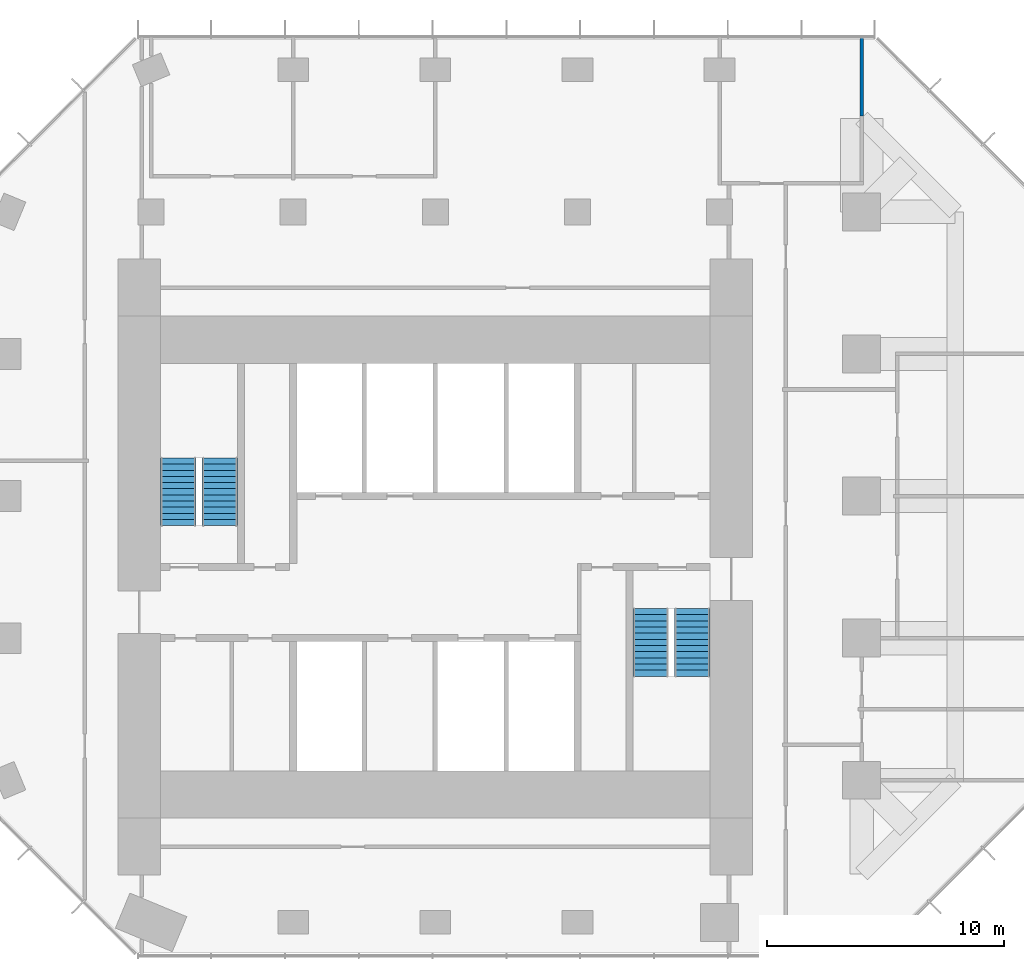
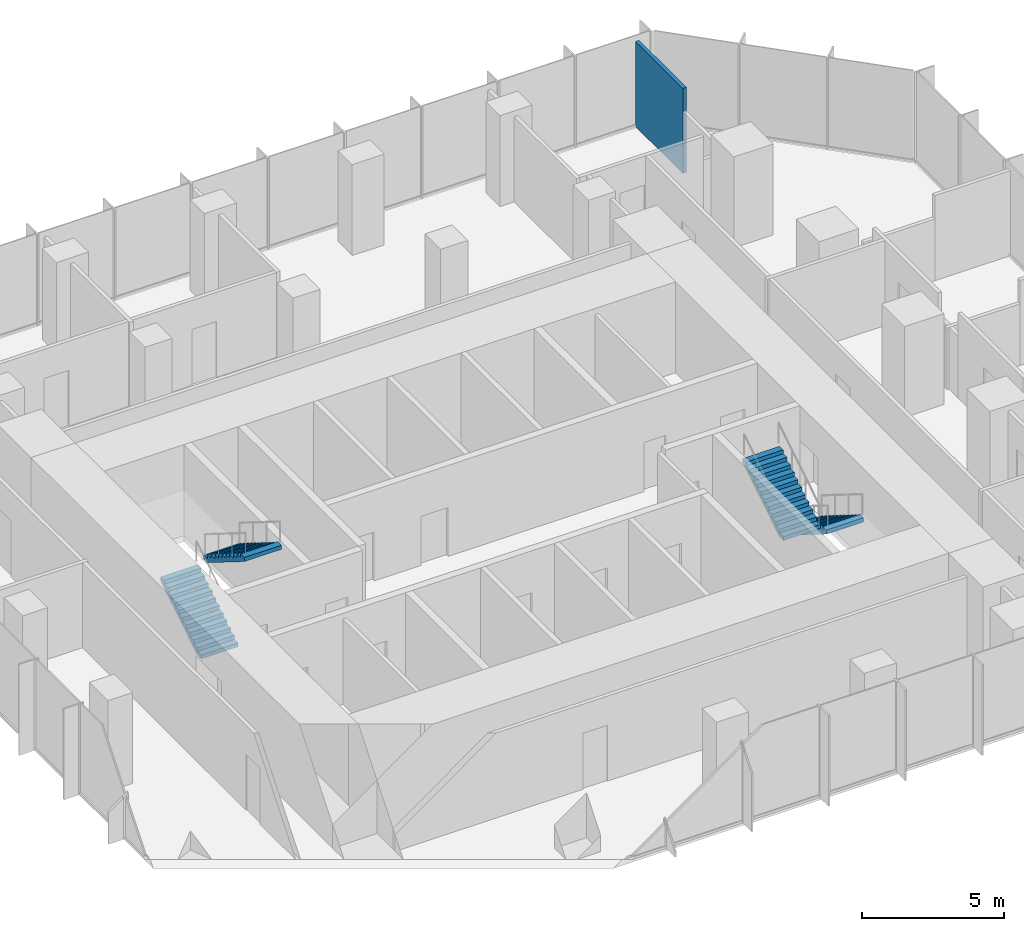
# One storey, part 10 of 11: 4 stair flights, 1 wall, 2 elements without a shape of their own.
"""IFC4 building model written with IfcOpenShell, lengths in metres."""

import ifcopenshell
import ifcopenshell.guid

model = None  # the IFC model being written
_history = None  # IfcOwnerHistory: only IFC2X3 demands one
_inside = {}  # id of a spatial element -> (the spatial element, [elements in it])
_under = {}  # id of a project, library or spatial element -> (it, [spatial elements below it])
_declared = {}  # id of a project -> (the project, [libraries it declares])
_typed = {}  # id of a type object -> (the type object, [elements of that type])
_made_of = {}  # id of a material, layer set ... -> (it, [elements and type objects made of it])


def new_model(schema):
    """Start an empty IFC model of exactly this schema.

    Asked for "IFC4X3", IfcOpenShell would pick the latest addendum, in which some entities
    have other attributes; the version numbers below select the first issue.
    IFC2X3 requires an IfcOwnerHistory on every rooted entity: one is made here for all.
    """
    global model, _history
    if schema == "IFC4X3":
        model = ifcopenshell.file(schema_version=(4, 3, 0, 0))
    else:
        model = ifcopenshell.file(schema=schema)
    _inside.clear()
    _under.clear()
    _declared.clear()
    _typed.clear()
    _made_of.clear()
    _history = None
    if model.schema == "IFC2X3":
        org = make("IfcOrganization", Name="unknown")
        user = make(
            "IfcPersonAndOrganization",
            ThePerson=make("IfcPerson", FamilyName="unknown"),
            TheOrganization=org,
        )
        app = make(
            "IfcApplication",
            ApplicationDeveloper=org,
            Version="unknown",
            ApplicationFullName="unknown",
            ApplicationIdentifier="unknown",
        )
        _history = make(
            "IfcOwnerHistory",
            OwningUser=user,
            OwningApplication=app,
            ChangeAction="ADDED",
            CreationDate=0,
        )
    return model


def make(cls, **values):
    """One entity of the class cls with the attributes given. An attribute that is None is left unset."""
    return model.create_entity(
        cls, **{name: value for name, value in values.items() if value is not None}
    )


def rooted(cls, **values):
    """An entity with a GlobalId (a new one), such as an element, a storey or a relation."""
    return make(cls, GlobalId=ifcopenshell.guid.new(), OwnerHistory=_history, **values)


def si_unit(unit_type, name, prefix=None):
    """IfcSIUnit, for example si_unit("LENGTHUNIT", "METRE", prefix="MILLI")."""
    return make("IfcSIUnit", UnitType=unit_type, Prefix=prefix, Name=name)


def assignment(units):
    """IfcUnitAssignment: the units of a project."""
    return None if units is None else make("IfcUnitAssignment", Units=units)


def point(xyz):
    """IfcCartesianPoint."""
    return None if xyz is None else make("IfcCartesianPoint", Coordinates=xyz)


def direction(xyz):
    """IfcDirection."""
    return None if xyz is None else make("IfcDirection", DirectionRatios=xyz)


def frame(location, z_axis=None, x_axis=None):
    """IfcAxis2Placement3D, a coordinate frame: its origin and axes. An axis left out is left unset."""
    return make(
        "IfcAxis2Placement3D",
        Location=point(location),
        Axis=direction(z_axis),
        RefDirection=direction(x_axis),
    )


def frame_2d(location, x_axis=None):
    """IfcAxis2Placement2D, a coordinate frame in the plane: its origin and x axis."""
    return make(
        "IfcAxis2Placement2D", Location=point(location), RefDirection=direction(x_axis)
    )


def origin():
    """The frame at (0, 0, 0) with its axes left unset."""
    return frame((0.0, 0.0, 0.0))


def place(relative_to, where):
    """IfcLocalPlacement: puts the frame where relative to a parent placement (None: the world)."""
    return make(
        "IfcLocalPlacement", PlacementRelTo=relative_to, RelativePlacement=where
    )


def context(
    kind, dimensions, precision=None, world=None, true_north=None, identifier=None
):
    """IfcGeometricRepresentationContext, for example the 3D "Model" context."""
    return make(
        "IfcGeometricRepresentationContext",
        ContextIdentifier=identifier,
        ContextType=kind,
        CoordinateSpaceDimension=dimensions,
        Precision=precision,
        WorldCoordinateSystem=world,
        TrueNorth=true_north,
    )


def subcontext(parent, identifier, kind, view, scale=None):
    """IfcGeometricRepresentationSubContext, for example "Body" below "Model"."""
    return make(
        "IfcGeometricRepresentationSubContext",
        ContextIdentifier=identifier,
        ContextType=kind,
        ParentContext=parent,
        TargetScale=scale,
        TargetView=view,
    )


def project(units=None, contexts=None):
    """IfcProject with its units and contexts."""
    return rooted(
        "IfcProject",
        Name="project",
        RepresentationContexts=contexts,
        UnitsInContext=assignment(units),
    )


def spatial(cls, under=None, at=None, **own):
    """A site, building, storey or space (cls), placed at a placement, below another one or the project."""
    s = rooted(cls, ObjectPlacement=at, **own)
    if under is not None:
        _under.setdefault(under.id(), (under, []))[1].append(s)
    return s


def polyline(points):
    """IfcPolyline through the points."""
    return make("IfcPolyline", Points=[point(p) for p in points])


def profile(cls, at=None, kind="AREA", **sizes):
    """A parametric profile (cls). Its sizes go by their IFC names, for example OverallWidth=200.0."""
    return make(cls, ProfileType=kind, Position=at, **sizes)


def rectangle(**sizes):
    """IfcRectangleProfileDef."""
    return profile("IfcRectangleProfileDef", **sizes)


def outline(outer, holes=None, kind="AREA"):
    """IfcArbitraryClosedProfileDef: a profile drawn as a closed curve; with holes, ...WithVoids."""
    if holes is None:
        return make("IfcArbitraryClosedProfileDef", ProfileType=kind, OuterCurve=outer)
    return make(
        "IfcArbitraryProfileDefWithVoids",
        ProfileType=kind,
        OuterCurve=outer,
        InnerCurves=holes,
    )


def extrude(swept, where, along, depth):
    """IfcExtrudedAreaSolid: the profile swept, set in the frame where, extruded along a direction by depth."""
    return make(
        "IfcExtrudedAreaSolid",
        SweptArea=swept,
        Position=where,
        ExtrudedDirection=direction(along),
        Depth=depth,
    )


def shape(context_of_items, identifier, shape_type, items):
    """IfcShapeRepresentation: the items that make up one representation, for example the "Body"."""
    return make(
        "IfcShapeRepresentation",
        ContextOfItems=context_of_items,
        RepresentationIdentifier=identifier,
        RepresentationType=shape_type,
        Items=items,
    )


def material(Name=None, Category=None):
    """IfcMaterial."""
    return make("IfcMaterial", Name=Name, Category=Category)


def layer(
    of_material, thickness, ventilated=None, Name=None, Category=None, Priority=None
):
    """IfcMaterialLayer: one layer of a wall or slab, of a material (None: an air gap)."""
    return make(
        "IfcMaterialLayer",
        Material=of_material,
        LayerThickness=thickness,
        IsVentilated=ventilated,
        Name=Name,
        Category=Category,
        Priority=Priority,
    )


def layer_set(layers, Name=None):
    """IfcMaterialLayerSet."""
    return make("IfcMaterialLayerSet", MaterialLayers=layers, LayerSetName=Name)


def made_of(thing, what):
    """Note that an element or type object is made of a material, layer set ...; save() writes the relation."""
    if what is not None:
        _made_of.setdefault(what.id(), (what, []))[1].append(thing)
    return thing


def type_object(cls, material=None, **own):
    """A type object (cls), such as IfcWallType, which elements share."""
    return made_of(rooted(cls, **own), material)


def element(
    cls,
    number,
    at=None,
    inside=None,
    cuts=None,
    type_object=None,
    material=None,
    context=None,
    identifier="Body",
    shape_type=None,
    held_by="IfcProductDefinitionShape",
    body=None,
    shapes=None,
    **own,
):
    """One element of the class cls, such as IfcWall. Its Tag is "e" and its number.

    at: its placement. inside: the storey or other place that contains it. cuts: it is an
    opening in that element (IfcRelVoidsElement). A single representation is given by context,
    identifier, shape_type and body (its items); several are given by shapes. held_by: the class
    of the entity that holds the representations. save() writes the other relations.
    """
    e = rooted(cls, Tag="e%d" % number, ObjectPlacement=at, **own)
    if body is not None:
        shapes = [shape(context, identifier, shape_type, body)]
    if shapes is not None:
        e.Representation = make(held_by, Representations=shapes)
    if inside is not None:
        _inside.setdefault(inside.id(), (inside, []))[1].append(e)
    if cuts is not None:
        rooted(
            "IfcRelVoidsElement", RelatingBuildingElement=cuts, RelatedOpeningElement=e
        )
    if type_object is not None:
        _typed.setdefault(type_object.id(), (type_object, []))[1].append(e)
    return made_of(e, material)


def aggregate(whole, parts):
    """IfcRelAggregates: a whole, such as a stair, and the parts it consists of."""
    return rooted("IfcRelAggregates", RelatingObject=whole, RelatedObjects=parts)


def save(model, path):
    """Write the relations noted so far, then the file.

    IfcRelAggregates (storeys below a building ...), IfcRelContainedInSpatialStructure (elements
    in a storey), IfcRelDefinesByType, IfcRelAssociatesMaterial and IfcRelDeclares: one each for
    every whole, place, type object, material and project.
    """
    for whole, parts in _under.values():
        aggregate(whole, parts)
    for where, things in _inside.values():
        rooted(
            "IfcRelContainedInSpatialStructure",
            RelatedElements=things,
            RelatingStructure=where,
        )
    for kind, things in _typed.values():
        rooted("IfcRelDefinesByType", RelatedObjects=things, RelatingType=kind)
    for what, things in _made_of.values():
        rooted("IfcRelAssociatesMaterial", RelatedObjects=things, RelatingMaterial=what)
    for by, libraries in _declared.values():
        rooted("IfcRelDeclares", RelatingContext=by, RelatedDefinitions=libraries)
    model.write(path)


model = new_model("IFC4")

# Units and contexts
model_context = context("Model", 3, precision=1e-05, world=origin(), true_north=direction((0.0, 1.0)))
body_context = subcontext(model_context, "Body", "Model", "MODEL_VIEW")
ifc_project = project(units=[si_unit("LENGTHUNIT", "METRE"), si_unit("AREAUNIT", "SQUARE_METRE"), si_unit("VOLUMEUNIT", "CUBIC_METRE"), si_unit("PLANEANGLEUNIT", "RADIAN"), si_unit("MASSUNIT", "GRAM", prefix="KILO")], contexts=[model_context])

# Site, building, storey
site_placement = place(None, origin())
site = spatial("IfcSite", under=ifc_project, at=site_placement, CompositionType="ELEMENT")
building_placement = place(site_placement, origin())
building = spatial("IfcBuilding", under=site, at=building_placement, Name="Highveld Stack Headquarters", CompositionType="ELEMENT")
storey_placement = place(building_placement, frame((0.0, 0.0, 260.60009765625)))
storey = spatial("IfcBuildingStorey", under=building, at=storey_placement, Name="L64", CompositionType="ELEMENT", Elevation=260.60009765625)

# Wall
ifc_material_1 = material(Name="Gypsum plasterboard on steel studs", Category="steel")
ifc_layer = layer(ifc_material_1, 0.14990234375)
ifc_layer_set = layer_set([ifc_layer], Name="Gypsum plasterboard on steel studs")
wall_type = type_object("IfcWallType", Name="PARTITION 150 PLASTERBOARD", PredefinedType="PARTITIONING", material=ifc_layer_set)
wall_placement = place(storey_placement, frame((24.0, 22.044921875, 0.0), z_axis=(0.0, 0.0, 1.0), x_axis=(0.0, 1.0, 0.0)))
element("IfcWall", 1, at=wall_placement, inside=storey, type_object=wall_type, Name="Partition Tea kitchen L64", PredefinedType="PARTITIONING", context=body_context, shape_type="SweptSolid", body=[
    extrude(rectangle(XDim=3.330078125, YDim=0.14990234375, at=frame_2d((1.6650390625, 0.0))), origin(), (0.0, 0.0, 1.0), 3.64990234375),
])

# Stair, stair flights
ifc_material_2 = material(Name="Concrete C40/50, precast", Category="concrete")
stair_type_1 = type_object("IfcStairType", Name="STAIR S1 HALF TURN 1500", PredefinedType="HALF_TURN_STAIR", material=ifc_material_2)
stair_1_placement = place(storey_placement, origin())
stair_1 = element("IfcStair", 2, at=stair_1_placement, inside=storey, type_object=stair_type_1, Name="Stair S1 L64", PredefinedType="HALF_TURN_STAIR")
ifc_material_3 = material(Name="Concrete C40/50, precast", Category="concrete")
stair_flight_type = type_object("IfcStairFlightType", Name="STAIR FLIGHT 1500 PRECAST", PredefinedType="STRAIGHT", material=ifc_material_3)
stair_flight_1_placement = place(storey_placement, frame((-4.85009765625, 4.75, 0.0), z_axis=(0.0, 0.0, 1.0), x_axis=(0.0, 1.0, 0.0)))
stair_flight_1 = element("IfcStairFlight", 3, at=stair_flight_1_placement, type_object=stair_flight_type, Name="S1 flight 1", NumberOfRisers=12, NumberOfTreads=11, PredefinedType="STRAIGHT", RiserHeight=0.1625, TreadLength=0.26, context=body_context, shape_type="SweptSolid", body=[
    extrude(outline(polyline([(0.0, 0.0), (0.0, 0.16259765625), (0.260009765625, 0.16259765625), (0.260009765625, 0.324951171875), (0.52001953125, 0.324951171875), (0.52001953125, 0.487548828125), (0.780029296875, 0.487548828125), (0.780029296875, 0.64990234375), (1.0400390625, 0.64990234375), (1.0400390625, 0.8125), (1.300048828125, 0.8125), (1.300048828125, 0.97509765625), (1.56005859375, 0.97509765625), (1.56005859375, 1.137451171875), (1.820068359375, 1.137451171875), (1.820068359375, 1.300048828125), (2.080078125, 1.300048828125), (2.080078125, 1.46240234375), (2.340087890625, 1.46240234375), (2.340087890625, 1.625), (2.60009765625, 1.625), (2.60009765625, 1.78759765625), (2.860107421875, 1.78759765625), (2.860107421875, 1.949951171875), (2.860107421875, 1.61083984375), (0.28271484375, 0.0), (0.0, 0.0)])), frame((0.0, 0.75, 0.0), z_axis=(0.0, -1.0, 0.0), x_axis=(1.0, 0.0, 0.0)), (0.0, 0.0, 1.0), 1.5),
])
stair_flight_2_placement = place(storey_placement, frame((-3.10009765625, 7.610107421875, 1.949951171875), z_axis=(0.0, 0.0, 1.0), x_axis=(0.0, -1.0, 0.0)))
stair_flight_2 = element("IfcStairFlight", 4, at=stair_flight_2_placement, type_object=stair_flight_type, Name="S1 flight 2", NumberOfRisers=12, NumberOfTreads=11, PredefinedType="STRAIGHT", RiserHeight=0.1625, TreadLength=0.26, context=body_context, shape_type="SweptSolid", body=[
    extrude(outline(polyline([(0.0, 0.0), (0.0, 0.16259765625), (0.260009765625, 0.16259765625), (0.260009765625, 0.324951171875), (0.52001953125, 0.324951171875), (0.52001953125, 0.487548828125), (0.780029296875, 0.487548828125), (0.780029296875, 0.64990234375), (1.0400390625, 0.64990234375), (1.0400390625, 0.8125), (1.300048828125, 0.8125), (1.300048828125, 0.97509765625), (1.56005859375, 0.97509765625), (1.56005859375, 1.137451171875), (1.820068359375, 1.137451171875), (1.820068359375, 1.300048828125), (2.080078125, 1.300048828125), (2.080078125, 1.46240234375), (2.340087890625, 1.46240234375), (2.340087890625, 1.625), (2.60009765625, 1.625), (2.60009765625, 1.78759765625), (2.860107421875, 1.78759765625), (2.860107421875, 1.949951171875), (2.860107421875, 1.61083984375), (0.28271484375, 0.0), (0.0, 0.0)])), frame((0.0, 0.75, 0.0), z_axis=(0.0, -1.0, 0.0), x_axis=(1.0, 0.0, 0.0)), (0.0, 0.0, 1.0), 1.5),
])
aggregate(stair_1, [stair_flight_1, stair_flight_2])

ifc_material_4 = material(Name="Concrete C40/50, precast", Category="concrete")
stair_type_2 = type_object("IfcStairType", Name="STAIR S2 HALF TURN 1500", PredefinedType="HALF_TURN_STAIR", material=ifc_material_4)
stair_2_placement = place(storey_placement, origin())
stair_2 = element("IfcStair", 5, at=stair_2_placement, inside=storey, type_object=stair_type_2, Name="Stair S2 L64", PredefinedType="HALF_TURN_STAIR")
stair_flight_3_placement = place(storey_placement, frame((16.85009765625, 1.25, 0.0), z_axis=(0.0, 0.0, 1.0), x_axis=(0.0, -1.0, 0.0)))
stair_flight_3 = element("IfcStairFlight", 6, at=stair_flight_3_placement, type_object=stair_flight_type, Name="S2 flight 1", NumberOfRisers=12, NumberOfTreads=11, PredefinedType="STRAIGHT", RiserHeight=0.1625, TreadLength=0.26, context=body_context, shape_type="SweptSolid", body=[
    extrude(outline(polyline([(0.0, 0.0), (0.0, 0.16259765625), (0.260009765625, 0.16259765625), (0.260009765625, 0.324951171875), (0.52001953125, 0.324951171875), (0.52001953125, 0.487548828125), (0.780029296875, 0.487548828125), (0.780029296875, 0.64990234375), (1.0400390625, 0.64990234375), (1.0400390625, 0.8125), (1.300048828125, 0.8125), (1.300048828125, 0.97509765625), (1.56005859375, 0.97509765625), (1.56005859375, 1.137451171875), (1.820068359375, 1.137451171875), (1.820068359375, 1.300048828125), (2.080078125, 1.300048828125), (2.080078125, 1.46240234375), (2.340087890625, 1.46240234375), (2.340087890625, 1.625), (2.60009765625, 1.625), (2.60009765625, 1.78759765625), (2.860107421875, 1.78759765625), (2.860107421875, 1.949951171875), (2.860107421875, 1.61083984375), (0.28271484375, 0.0), (0.0, 0.0)])), frame((0.0, 0.75, 0.0), z_axis=(0.0, -1.0, 0.0), x_axis=(1.0, 0.0, 0.0)), (0.0, 0.0, 1.0), 1.5),
])
stair_flight_4_placement = place(storey_placement, frame((15.10009765625, -1.610107421875, 1.949951171875), z_axis=(0.0, 0.0, 1.0), x_axis=(0.0, 1.0, 0.0)))
stair_flight_4 = element("IfcStairFlight", 7, at=stair_flight_4_placement, type_object=stair_flight_type, Name="S2 flight 2", NumberOfRisers=12, NumberOfTreads=11, PredefinedType="STRAIGHT", RiserHeight=0.1625, TreadLength=0.26, context=body_context, shape_type="SweptSolid", body=[
    extrude(outline(polyline([(0.0, 0.0), (0.0, 0.16259765625), (0.260009765625, 0.16259765625), (0.260009765625, 0.324951171875), (0.52001953125, 0.324951171875), (0.52001953125, 0.487548828125), (0.780029296875, 0.487548828125), (0.780029296875, 0.64990234375), (1.0400390625, 0.64990234375), (1.0400390625, 0.8125), (1.300048828125, 0.8125), (1.300048828125, 0.97509765625), (1.56005859375, 0.97509765625), (1.56005859375, 1.137451171875), (1.820068359375, 1.137451171875), (1.820068359375, 1.300048828125), (2.080078125, 1.300048828125), (2.080078125, 1.46240234375), (2.340087890625, 1.46240234375), (2.340087890625, 1.625), (2.60009765625, 1.625), (2.60009765625, 1.78759765625), (2.860107421875, 1.78759765625), (2.860107421875, 1.949951171875), (2.860107421875, 1.61083984375), (0.28271484375, 0.0), (0.0, 0.0)])), frame((0.0, 0.75, 0.0), z_axis=(0.0, -1.0, 0.0), x_axis=(1.0, 0.0, 0.0)), (0.0, 0.0, 1.0), 1.5),
])
aggregate(stair_2, [stair_flight_3, stair_flight_4])

save(model, "model.ifc")
